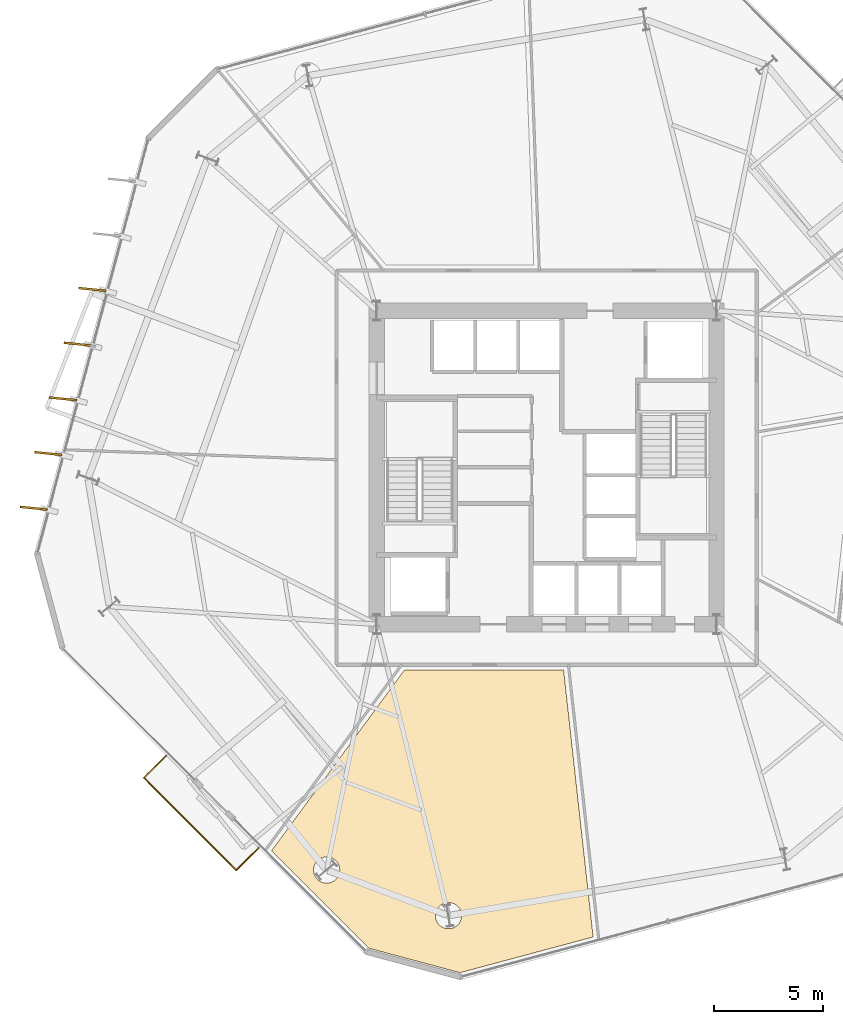
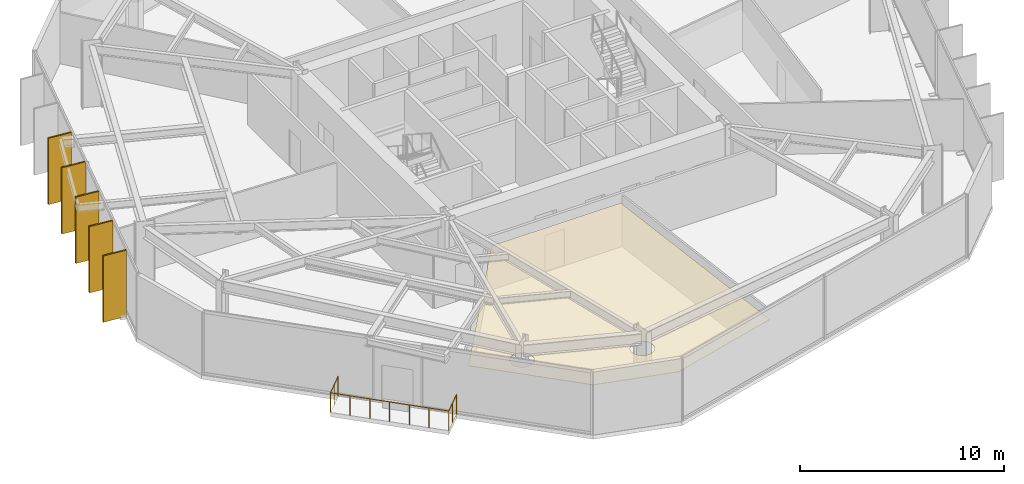
# One storey, part 8 of 10: 6 coverings, 5 shading devices, 1 railing.
"""IFC4 building model written with IfcOpenShell, lengths in metres."""

from ifc_helpers import new_model, si_unit, direction, frame, origin, origin_2d, place, context, subcontext, project, spatial, polyline, rectangle, circle, outline, extrude, material, layer, layer_set, type_object, element, save


model = new_model("IFC4")

# Units and contexts
model_context = context("Model", 3, precision=1e-05, world=origin(), true_north=direction((0.0, 1.0)))
body_context = subcontext(model_context, "Body", "Model", "MODEL_VIEW")
ifc_project = project(units=[si_unit("LENGTHUNIT", "METRE"), si_unit("AREAUNIT", "SQUARE_METRE"), si_unit("VOLUMEUNIT", "CUBIC_METRE"), si_unit("PLANEANGLEUNIT", "RADIAN"), si_unit("MASSUNIT", "GRAM", prefix="KILO")], contexts=[model_context])

# Site, building, storey
site_placement = place(None, origin())
site = spatial("IfcSite", under=ifc_project, at=site_placement, CompositionType="ELEMENT")
building_placement = place(site_placement, origin())
building = spatial("IfcBuilding", under=site, at=building_placement, Name="Kranzbogen Civic Tower", CompositionType="ELEMENT")
storey_placement = place(building_placement, frame((0.0, 0.0, 80.0)))
storey = spatial("IfcBuildingStorey", under=building, at=storey_placement, Name="L19", CompositionType="ELEMENT", Elevation=80.0)

# Coverings
ifc_material_1 = material(Name="Pale Anodised Aluminium", Category="aluminium")
ifc_layer_1 = layer(ifc_material_1, 0.02490234375, Name="Pale Anodised Aluminium")
ifc_layer_set_1 = layer_set([ifc_layer_1], Name="Pale Anodised Aluminium")
covering_type_1 = type_object("IfcCoveringType", Name="Anodised Aluminium Vertical Fin Cladding 25 mm", PredefinedType="CLADDING", material=ifc_layer_set_1)
for number, where, z_axis, x_axis, name in (
    (1, (4.138916015625, 33.177978515625, -0.139892578125), (0.0, 0.0, 1.0), (-0.994889523866, 0.100969477078, 0.0), "L19 vertical fin pale-metal cladding F3-3"),
    (2, (3.466064453125, 30.666015625, -0.139892578125), (0.0, 0.0, 1.0), (-0.994889523866, 0.100969477078, 0.0), "L19 vertical fin pale-metal cladding F3-4"),
    (3, (2.79296875, 28.155029296875, -0.139892578125), (0.0, 0.0, 1.0), (-0.994889523866, 0.100969477078, 0.0), "L19 vertical fin pale-metal cladding F3-5"),
    (4, (2.1201171875, 25.64306640625, -0.139892578125), (0.0, 0.0, 1.0), (-0.994889523866, 0.100969477078, 0.0), "L19 vertical fin pale-metal cladding F3-6"),
    (5, (1.447021484375, 23.132080078125, -0.139892578125), (0.0, 0.0, 1.0), (-0.994889523866, 0.100969477078, 0.0), "L19 vertical fin pale-metal cladding F3-7"),
):
    element("IfcCovering", number, at=place(storey_placement, frame(where, z_axis=z_axis, x_axis=x_axis)), inside=storey, type_object=covering_type_1, Name=name, PredefinedType="CLADDING", context=body_context, shape_type="SweptSolid", body=[
        extrude(rectangle(XDim=1.25, YDim=0.10009765625, at=origin_2d()), origin(), (0.0, 0.0, 1.0), 3.9599609375),
    ])

# Shading devices
ifc_material_2 = material(Name="Anodised Bronze Aluminium", Category="aluminium")
shading_device_type = type_object("IfcShadingDeviceType", Name="Anodised Bronze Vertical Facade Fin 1250x80", PredefinedType="USERDEFINED", material=ifc_material_2)
for number, where, z_axis, x_axis, name in (
    (6, (4.138916015625, 33.177978515625, -0.139892578125), (0.0, 0.0, 1.0), (-0.994889523866, 0.100969477078, 0.0), "L19 vertical exterior shading fin F3-3"),
    (7, (3.466064453125, 30.666015625, -0.139892578125), (0.0, 0.0, 1.0), (-0.994889523866, 0.100969477078, 0.0), "L19 vertical exterior shading fin F3-4"),
    (8, (2.79296875, 28.155029296875, -0.139892578125), (0.0, 0.0, 1.0), (-0.994889523866, 0.100969477078, 0.0), "L19 vertical exterior shading fin F3-5"),
    (9, (2.1201171875, 25.64306640625, -0.139892578125), (0.0, 0.0, 1.0), (-0.994889523866, 0.100969477078, 0.0), "L19 vertical exterior shading fin F3-6"),
    (10, (1.447021484375, 23.132080078125, -0.139892578125), (0.0, 0.0, 1.0), (-0.994889523866, 0.100969477078, 0.0), "L19 vertical exterior shading fin F3-7"),
):
    element("IfcShadingDevice", number, at=place(storey_placement, frame(where, z_axis=z_axis, x_axis=x_axis)), inside=storey, type_object=shading_device_type, Name=name, ObjectType="FIN", PredefinedType="USERDEFINED", context=body_context, shape_type="SweptSolid", body=[
        extrude(rectangle(XDim=1.25, YDim=0.080078125, at=origin_2d()), origin(), (0.0, 0.0, 1.0), 3.9599609375),
    ])

# Railing
railing_type = type_object("IfcRailingType", Name="Cantilevered Balcony Glass and Bronze Balustrade 1200", PredefinedType="BALUSTRADE", material=ifc_material_2)
railing_placement = place(storey_placement, frame((7.533935546875, 11.777099609375, 0.0)))
element("IfcRailing", 11, at=railing_placement, inside=storey, type_object=railing_type, Name="L19 exterior terrace balustrade L19-TB2", PredefinedType="BALUSTRADE", context=body_context, shape_type="SweptSolid", body=[
    extrude(circle(Radius=0.02392578125, at=origin_2d()), frame((0.0, 0.0, 1.17578125), z_axis=(-0.707022566719, -0.707190985625, 0.0), x_axis=(0.707190985625, -0.707022566719, 0.0)), (0.0, 0.0, 1.0), 1.44970703125),
    extrude(circle(Radius=0.02392578125, at=origin_2d()), frame((-1.02490234375, -1.025146484375, 1.17578125), z_axis=(0.707106781187, -0.707106781187, 0.0), x_axis=(0.707106781187, 0.707106781187, 0.0)), (0.0, 0.0, 1.0), 6.00048828125),
    extrude(circle(Radius=0.02392578125, at=origin_2d()), frame((3.218017578125, -5.26806640625, 1.17578125), z_axis=(0.707190985625, 0.707022566719, 0.0), x_axis=(-0.707022566719, 0.707190985625, 0.0)), (0.0, 0.0, 1.0), 1.44970703125),
    extrude(circle(Radius=0.02099609375, at=origin_2d()), origin(), (0.0, 0.0, 1.0), 1.15185546875),
    extrude(circle(Radius=0.02099609375, at=origin_2d()), frame((-0.512451171875, -0.5126953125, 0.0)), (0.0, 0.0, 1.0), 1.15185546875),
    extrude(circle(Radius=0.02099609375, at=origin_2d()), frame((-1.02490234375, -1.025146484375, 0.0)), (0.0, 0.0, 1.0), 1.15185546875),
    extrude(circle(Radius=0.02099609375, at=origin_2d()), frame((-0.31787109375, -1.732421875, 0.0)), (0.0, 0.0, 1.0), 1.15185546875),
    extrude(circle(Radius=0.02099609375, at=origin_2d()), frame((0.389404296875, -2.439453125, 0.0)), (0.0, 0.0, 1.0), 1.15185546875),
    extrude(circle(Radius=0.02099609375, at=origin_2d()), frame((1.0966796875, -3.146484375, 0.0)), (0.0, 0.0, 1.0), 1.15185546875),
    extrude(circle(Radius=0.02099609375, at=origin_2d()), frame((1.8037109375, -3.853759765625, 0.0)), (0.0, 0.0, 1.0), 1.15185546875),
    extrude(circle(Radius=0.02099609375, at=origin_2d()), frame((2.5107421875, -4.56103515625, 0.0)), (0.0, 0.0, 1.0), 1.15185546875),
    extrude(circle(Radius=0.02099609375, at=origin_2d()), frame((3.218017578125, -5.26806640625, 0.0)), (0.0, 0.0, 1.0), 1.15185546875),
    extrude(circle(Radius=0.02099609375, at=origin_2d()), frame((3.73046875, -4.755615234375, 0.0)), (0.0, 0.0, 1.0), 1.15185546875),
    extrude(circle(Radius=0.02099609375, at=origin_2d()), frame((4.2431640625, -4.2431640625, 0.0)), (0.0, 0.0, 1.0), 1.15185546875),
])

# Covering
ifc_material_3 = material(Name="Perforated Acoustic Gypsum Ceiling")
ifc_layer_2 = layer(ifc_material_3, 0.02490234375, Name="Perforated Acoustic Gypsum Ceiling")
ifc_layer_set_2 = layer_set([ifc_layer_2], Name="Perforated Acoustic Gypsum Ceiling")
covering_type_2 = type_object("IfcCoveringType", Name="Perforated Acoustic Mineral Ceiling Tile 25 mm", PredefinedType="CEILING", material=ifc_layer_set_2)
covering_placement = place(storey_placement, frame((0.0, 0.0, 2.75)))
element("IfcCovering", 12, at=covering_placement, inside=storey, type_object=covering_type_2, Name="L19 Directorate Admin Workspace acoustic ceiling", PredefinedType="CEILING", context=body_context, shape_type="SweptSolid", body=[
    extrude(outline(polyline([(16.845947265625, 2.925048828125), (12.37109375, 7.39990234375), (18.47412109375, 15.705078125), (25.781005859375, 15.705078125), (27.136962890625, 3.444091796875), (21.02392578125, 1.804931640625), (16.845947265625, 2.925048828125)]), holes=[polyline([(21.051025390625, 4.194091796875), (21.02587890625, 4.139892578125), (20.99609375, 4.090087890625), (20.9599609375, 4.0419921875), (20.9208984375, 3.998046875), (20.876953125, 3.958984375), (20.8291015625, 3.923095703125), (20.779052734375, 3.89306640625), (20.72509765625, 3.867919921875), (20.669921875, 3.847900390625), (20.612060546875, 3.833984375), (20.553955078125, 3.824951171875), (20.4951171875, 3.822021484375), (20.43603515625, 3.824951171875), (20.3779296875, 3.833984375), (20.320068359375, 3.847900390625), (20.264892578125, 3.867919921875), (20.2109375, 3.89306640625), (20.160888671875, 3.923095703125), (20.113037109375, 3.958984375), (20.069091796875, 3.998046875), (20.030029296875, 4.0419921875), (19.993896484375, 4.090087890625), (19.964111328125, 4.139892578125), (19.93896484375, 4.194091796875), (19.9189453125, 4.2490234375), (19.905029296875, 4.306884765625), (19.89599609375, 4.364990234375), (19.89306640625, 4.424072265625), (19.89599609375, 4.48291015625), (19.905029296875, 4.541015625), (19.9189453125, 4.59912109375), (19.93896484375, 4.654052734375), (19.964111328125, 4.7080078125), (19.993896484375, 4.758056640625), (20.030029296875, 4.805908203125), (20.069091796875, 4.85009765625), (20.113037109375, 4.888916015625), (20.160888671875, 4.925048828125), (20.2109375, 4.955078125), (20.264892578125, 4.97998046875), (20.320068359375, 5.0), (20.3779296875, 5.013916015625), (20.43603515625, 5.02294921875), (20.4951171875, 5.02587890625), (20.553955078125, 5.02294921875), (20.612060546875, 5.013916015625), (20.669921875, 5.0), (20.72509765625, 4.97998046875), (20.779052734375, 4.955078125), (20.8291015625, 4.925048828125), (20.876953125, 4.888916015625), (20.9208984375, 4.85009765625), (20.9599609375, 4.805908203125), (20.99609375, 4.758056640625), (21.02587890625, 4.7080078125), (21.051025390625, 4.654052734375), (21.071044921875, 4.59912109375), (21.0849609375, 4.541015625), (21.093994140625, 4.48291015625), (21.096923828125, 4.424072265625), (21.093994140625, 4.364990234375), (21.0849609375, 4.306884765625), (21.071044921875, 4.2490234375), (21.051025390625, 4.194091796875)]), polyline([(15.45703125, 6.285888671875), (15.431884765625, 6.23193359375), (15.402099609375, 6.181884765625), (15.365966796875, 6.134033203125), (15.326904296875, 6.090087890625), (15.282958984375, 6.051025390625), (15.235107421875, 6.014892578125), (15.18505859375, 5.985107421875), (15.131103515625, 5.9599609375), (15.075927734375, 5.93994140625), (15.01806640625, 5.926025390625), (14.9599609375, 5.9169921875), (14.90087890625, 5.9140625), (14.842041015625, 5.9169921875), (14.783935546875, 5.926025390625), (14.72607421875, 5.93994140625), (14.6708984375, 5.9599609375), (14.616943359375, 5.985107421875), (14.56689453125, 6.014892578125), (14.51904296875, 6.051025390625), (14.47509765625, 6.090087890625), (14.43603515625, 6.134033203125), (14.39990234375, 6.181884765625), (14.3701171875, 6.23193359375), (14.344970703125, 6.285888671875), (14.324951171875, 6.341064453125), (14.31103515625, 6.39892578125), (14.302001953125, 6.45703125), (14.299072265625, 6.51611328125), (14.302001953125, 6.574951171875), (14.31103515625, 6.633056640625), (14.324951171875, 6.69091796875), (14.344970703125, 6.74609375), (14.3701171875, 6.800048828125), (14.39990234375, 6.85009765625), (14.43603515625, 6.89794921875), (14.47509765625, 6.94189453125), (14.51904296875, 6.98095703125), (14.56689453125, 7.01708984375), (14.616943359375, 7.047119140625), (14.6708984375, 7.072021484375), (14.72607421875, 7.092041015625), (14.783935546875, 7.10595703125), (14.842041015625, 7.114990234375), (14.90087890625, 7.117919921875), (14.9599609375, 7.114990234375), (15.01806640625, 7.10595703125), (15.075927734375, 7.092041015625), (15.131103515625, 7.072021484375), (15.18505859375, 7.047119140625), (15.235107421875, 7.01708984375), (15.282958984375, 6.98095703125), (15.326904296875, 6.94189453125), (15.365966796875, 6.89794921875), (15.402099609375, 6.85009765625), (15.431884765625, 6.800048828125), (15.45703125, 6.74609375), (15.47705078125, 6.69091796875), (15.490966796875, 6.633056640625), (15.5, 6.574951171875), (15.5029296875, 6.51611328125), (15.5, 6.45703125), (15.490966796875, 6.39892578125), (15.47705078125, 6.341064453125), (15.45703125, 6.285888671875)])]), origin(), (0.0, 0.0, 1.0), 0.02490234375),
])

save(model, "model.ifc")
